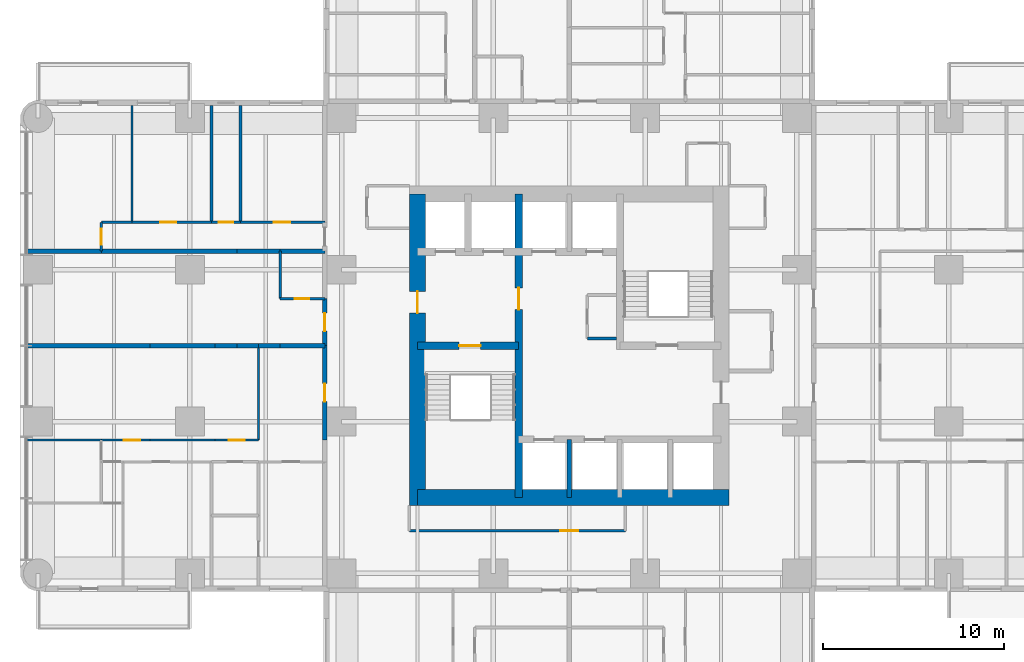
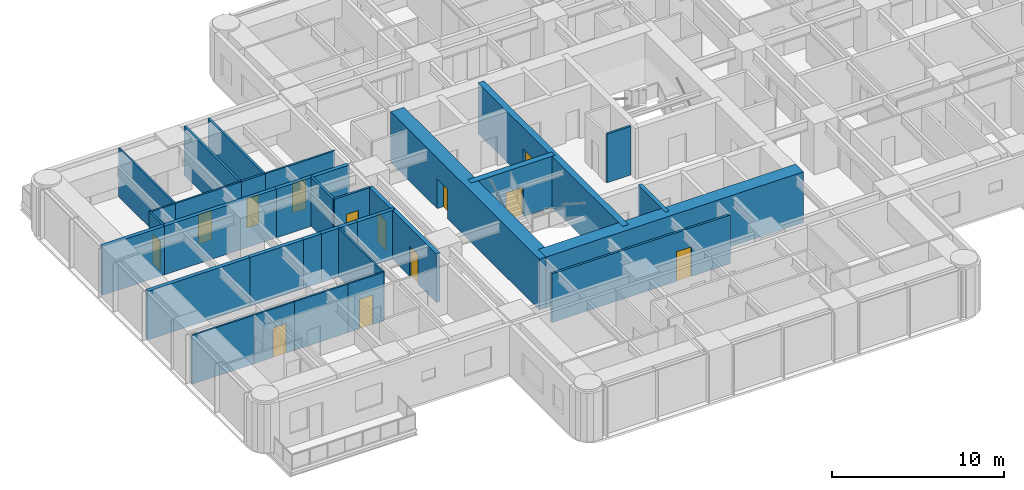
# One storey, part 7 of 14: 34 walls, 13 doors, 13 openings.
"""IFC4 building model written with IfcOpenShell, lengths in metres."""

from ifc_helpers import new_model, si_unit, direction, frame, frame_2d, origin, place, context, subcontext, project, spatial, rectangle, extrude, material, layer, layer_set, type_object, element, fill, save


model = new_model("IFC4")

# Units and contexts
model_context = context("Model", 3, precision=1e-05, world=origin(), true_north=direction((0.0, 1.0)))
body_context = subcontext(model_context, "Body", "Model", "MODEL_VIEW")
ifc_project = project(units=[si_unit("LENGTHUNIT", "METRE"), si_unit("AREAUNIT", "SQUARE_METRE"), si_unit("VOLUMEUNIT", "CUBIC_METRE"), si_unit("PLANEANGLEUNIT", "RADIAN"), si_unit("MASSUNIT", "GRAM", prefix="KILO")], contexts=[model_context])

# Site, building, storey
site_placement = place(None, origin())
site = spatial("IfcSite", under=ifc_project, at=site_placement, CompositionType="ELEMENT")
building_placement = place(site_placement, origin())
building = spatial("IfcBuilding", under=site, at=building_placement, Name="Torre Alcanfor", CompositionType="ELEMENT")
storey_placement = place(building_placement, frame((0.0, 0.0, 126.89990234375)))
storey = spatial("IfcBuildingStorey", under=building, at=storey_placement, Name="L32", CompositionType="ELEMENT", Elevation=126.89990234375)

# Wall, opening, door
ifc_material_1 = material(Name="Concrete block masonry, hollow blocks NMX-C-404 9 MPa", Category="masonry")
ifc_layer_1 = layer(ifc_material_1, 0.25)
ifc_layer_set_1 = layer_set([ifc_layer_1], Name="Apartment entrance wall 250 EI 60")
wall_type_1 = type_object("IfcWallType", Name="Apartment entrance wall 250 EI 60", PredefinedType="PARTITIONING", material=ifc_layer_set_1)
wall_1_placement = place(storey_placement, frame((15.875, 24.1708984375, 0.0), z_axis=(0.0, 0.0, 1.0), x_axis=(0.0, 1.0, 0.0)))
wall_1 = element("IfcWall", 1, at=wall_1_placement, inside=storey, type_object=wall_type_1, Name="Partition L32-CORR / L32-W1-ZAG", PredefinedType="PARTITIONING", context=body_context, shape_type="SweptSolid", body=[
    extrude(rectangle(XDim=5.22900390625, YDim=0.25, at=frame_2d((2.614501953125, 0.0))), origin(), (0.0, 0.0, 1.0), 3.4501953125),
])
opening_1_placement = place(wall_1_placement, frame((2.12890625, 0.0, 0.0)))
opening_1 = element("IfcOpeningElement", 2, at=opening_1_placement, cuts=wall_1, Name="Opening D-A1", PredefinedType="OPENING", context=body_context, shape_type="SweptSolid", body=[
    extrude(rectangle(XDim=1.0, YDim=2.10009765625, at=frame_2d((0.5, 1.050048828125))), frame((0.0, 0.135009765625, 0.0), z_axis=(0.0, -1.0, 0.0), x_axis=(1.0, 0.0, 0.0)), (0.0, 0.0, 1.0), 0.27001953125),
])
ifc_material_2 = material(Name="Galvanised steel sheet ASTM A653", Category="steel")
door_type_1 = type_object("IfcDoorType", Name="Apartment entrance door FD60 1000x2100", OperationType="SINGLE_SWING_LEFT", PredefinedType="DOOR", material=ifc_material_2)
door_1_placement = place(opening_1_placement, origin())
door_1 = element("IfcDoor", 3, at=door_1_placement, inside=storey, type_object=door_type_1, Name="Apartment entrance L32-W1", OperationType="SINGLE_SWING_RIGHT", OverallHeight=2.10009765625, OverallWidth=1.0, PredefinedType="DOOR", context=body_context, shape_type="SweptSolid", body=[
    extrude(rectangle(XDim=1.0, YDim=2.10009765625, at=frame_2d((0.5, 1.050048828125))), frame((0.0, 0.02490234375, 0.0), z_axis=(0.0, -1.0, 0.0), x_axis=(1.0, 0.0, 0.0)), (0.0, 0.0, 1.0), 0.050048828125),
])
fill(opening_1, door_1)

wall_2_placement = place(storey_placement, frame((15.875, 29.39990234375, 0.0), z_axis=(0.0, 0.0, 1.0), x_axis=(0.0, 1.0, 0.0)))
wall_2 = element("IfcWall", 4, at=wall_2_placement, inside=storey, type_object=wall_type_1, Name="Partition L32-CORR / L32-W2A-FOYER", PredefinedType="PARTITIONING", context=body_context, shape_type="SweptSolid", body=[
    extrude(rectangle(XDim=2.60009765625, YDim=0.25, at=frame_2d((1.300048828125, 0.0))), origin(), (0.0, 0.0, 1.0), 3.4501953125),
])
opening_2_placement = place(wall_2_placement, frame((0.800048828125, 0.0, 0.0)))
opening_2 = element("IfcOpeningElement", 5, at=opening_2_placement, cuts=wall_2, Name="Opening D-A1", PredefinedType="OPENING", context=body_context, shape_type="SweptSolid", body=[
    extrude(rectangle(XDim=1.0, YDim=2.10009765625, at=frame_2d((0.5, 1.050048828125))), frame((0.0, 0.135009765625, 0.0), z_axis=(0.0, -1.0, 0.0), x_axis=(1.0, 0.0, 0.0)), (0.0, 0.0, 1.0), 0.27001953125),
])
door_2_placement = place(opening_2_placement, origin())
door_2 = element("IfcDoor", 6, at=door_2_placement, inside=storey, type_object=door_type_1, Name="Apartment entrance L32-W2A", OperationType="SINGLE_SWING_LEFT", OverallHeight=2.10009765625, OverallWidth=1.0, PredefinedType="DOOR", context=body_context, shape_type="SweptSolid", body=[
    extrude(rectangle(XDim=1.0, YDim=2.10009765625, at=frame_2d((0.5, 1.050048828125))), frame((0.0, 0.02490234375, 0.0), z_axis=(0.0, -1.0, 0.0), x_axis=(1.0, 0.0, 0.0)), (0.0, 0.0, 1.0), 0.050048828125),
])
fill(opening_2, door_2)

# Wall
ifc_material_3 = material(Name="Gypsum board on steel studs", Category="steel")
ifc_layer_2 = layer(ifc_material_3, 0.1201171875)
ifc_layer_set_2 = layer_set([ifc_layer_2], Name="Apartment partition 120")
wall_type_2 = type_object("IfcWallType", Name="Apartment partition 120", PredefinedType="PARTITIONING", material=ifc_layer_set_2)
wall_3_placement = place(storey_placement, frame((12.199951171875, 29.39990234375, 0.0), z_axis=(0.0, 0.0, 1.0), x_axis=(0.0, -1.0, 0.0)))
element("IfcWall", 7, at=wall_3_placement, inside=storey, type_object=wall_type_2, Name="Partition L32-W1-ZAG / L32-W1-LAUND", PredefinedType="PARTITIONING", context=body_context, shape_type="SweptSolid", body=[
    extrude(rectangle(XDim=5.22900390625, YDim=0.1201171875, at=frame_2d((2.614501953125, 0.0))), origin(), (0.0, 0.0, 1.0), 3.4501953125),
])

# Wall, opening, door
wall_4_placement = place(storey_placement, frame((9.800048828125, 24.1708984375, 0.0), z_axis=(0.0, 0.0, 1.0), x_axis=(1.0, 0.0, 0.0)))
wall_4 = element("IfcWall", 8, at=wall_4_placement, inside=storey, type_object=wall_type_2, Name="Partition L32-W1-LAUND / L32-W1-HALL", PredefinedType="PARTITIONING", context=body_context, shape_type="SweptSolid", body=[
    extrude(rectangle(XDim=2.39990234375, YDim=0.1201171875, at=frame_2d((1.199951171875, 0.0))), origin(), (0.0, 0.0, 1.0), 3.4501953125),
])
opening_3_placement = place(wall_4_placement, frame((0.75, 0.0, 0.0)))
opening_3 = element("IfcOpeningElement", 9, at=opening_3_placement, cuts=wall_4, Name="Opening D-R1", PredefinedType="OPENING", context=body_context, shape_type="SweptSolid", body=[
    extrude(rectangle(XDim=0.89990234375, YDim=2.10009765625, at=frame_2d((0.449951171875, 1.050048828125))), frame((0.0, 0.070068359375, 0.0), z_axis=(0.0, -1.0, 0.0), x_axis=(1.0, 0.0, 0.0)), (0.0, 0.0, 1.0), 0.14013671875),
])
ifc_material_4 = material(Name="Timber", Category="wood")
door_type_2 = type_object("IfcDoorType", Name="Internal door 900x2100", OperationType="SINGLE_SWING_LEFT", PredefinedType="DOOR", material=ifc_material_4)
door_3_placement = place(opening_3_placement, origin())
door_3 = element("IfcDoor", 10, at=door_3_placement, inside=storey, type_object=door_type_2, Name="Door L32-W1 laund", OperationType="SINGLE_SWING_LEFT", OverallHeight=2.10009765625, OverallWidth=0.89990234375, PredefinedType="DOOR", context=body_context, shape_type="SweptSolid", body=[
    extrude(rectangle(XDim=0.89990234375, YDim=2.10009765625, at=frame_2d((0.449951171875, 1.050048828125))), frame((0.0, 0.02490234375, 0.0), z_axis=(0.0, -1.0, 0.0), x_axis=(1.0, 0.0, 0.0)), (0.0, 0.0, 1.0), 0.050048828125),
])
fill(opening_3, door_3)

# Wall
wall_5_placement = place(storey_placement, frame((6.199951171875, 24.1708984375, 0.0), z_axis=(0.0, 0.0, 1.0), x_axis=(1.0, 0.0, 0.0)))
element("IfcWall", 11, at=wall_5_placement, inside=storey, type_object=wall_type_2, Name="Partition L32-W1-KITCHEN / L32-W1-HALL", PredefinedType="PARTITIONING", context=body_context, shape_type="SweptSolid", body=[
    extrude(rectangle(XDim=3.60009765625, YDim=0.1201171875, at=frame_2d((1.800048828125, 0.0))), origin(), (0.0, 0.0, 1.0), 3.4501953125),
])

# Wall, opening, door
wall_6_placement = place(storey_placement, frame((3.5, 24.1708984375, 0.0), z_axis=(0.0, 0.0, 1.0), x_axis=(1.0, 0.0, 0.0)))
wall_6 = element("IfcWall", 12, at=wall_6_placement, inside=storey, type_object=wall_type_2, Name="Partition L32-W1-LIVING / L32-W1-HALL", PredefinedType="PARTITIONING", context=body_context, shape_type="SweptSolid", body=[
    extrude(rectangle(XDim=2.699951171875, YDim=0.1201171875, at=frame_2d((1.35009765625, 0.0))), origin(), (0.0, 0.0, 1.0), 3.4501953125),
])
opening_4_placement = place(wall_6_placement, frame((1.25, 0.0, 0.0)))
opening_4 = element("IfcOpeningElement", 13, at=opening_4_placement, cuts=wall_6, Name="Opening D-R1", PredefinedType="OPENING", context=body_context, shape_type="SweptSolid", body=[
    extrude(rectangle(XDim=0.89990234375, YDim=2.10009765625, at=frame_2d((0.449951171875, 1.050048828125))), frame((0.0, 0.070068359375, 0.0), z_axis=(0.0, -1.0, 0.0), x_axis=(1.0, 0.0, 0.0)), (0.0, 0.0, 1.0), 0.14013671875),
])
door_4_placement = place(opening_4_placement, origin())
door_4 = element("IfcDoor", 14, at=door_4_placement, inside=storey, type_object=door_type_2, Name="Door L32-W1 living", OperationType="SINGLE_SWING_RIGHT", OverallHeight=2.10009765625, OverallWidth=0.89990234375, PredefinedType="DOOR", context=body_context, shape_type="SweptSolid", body=[
    extrude(rectangle(XDim=0.89990234375, YDim=2.10009765625, at=frame_2d((0.449951171875, 1.050048828125))), frame((0.0, 0.02490234375, 0.0), z_axis=(0.0, -1.0, 0.0), x_axis=(1.0, 0.0, 0.0)), (0.0, 0.0, 1.0), 0.050048828125),
])
fill(opening_4, door_4)

# Wall
wall_7_placement = place(storey_placement, frame((-0.64990234375, 24.1708984375, 0.0), z_axis=(0.0, 0.0, 1.0), x_axis=(1.0, 0.0, 0.0)))
element("IfcWall", 15, at=wall_7_placement, inside=storey, type_object=wall_type_2, Name="Partition L32-W1-LIVING / L32-W1-BED2", PredefinedType="PARTITIONING", context=body_context, shape_type="SweptSolid", body=[
    extrude(rectangle(XDim=4.14990234375, YDim=0.1201171875, at=frame_2d((2.074951171875, 0.0))), origin(), (0.0, 0.0, 1.0), 3.4501953125),
])

# Wall, opening, door
wall_8_placement = place(storey_placement, frame((11.199951171875, 36.22900390625, 0.0), z_axis=(0.0, 0.0, 1.0), x_axis=(1.0, 0.0, 0.0)))
wall_8 = element("IfcWall", 16, at=wall_8_placement, inside=storey, type_object=wall_type_2, Name="Partition L32-W2B-HALL / L32-W2B-MASTER", PredefinedType="PARTITIONING", context=body_context, shape_type="SweptSolid", body=[
    extrude(rectangle(XDim=4.675048828125, YDim=0.1201171875, at=frame_2d((2.33740234375, 0.0))), origin(), (0.0, 0.0, 1.0), 3.4501953125),
])
opening_5_placement = place(wall_8_placement, frame((1.85009765625, 0.0, 0.0)))
opening_5 = element("IfcOpeningElement", 17, at=opening_5_placement, cuts=wall_8, Name="Opening D-R1", PredefinedType="OPENING", context=body_context, shape_type="SweptSolid", body=[
    extrude(rectangle(XDim=0.89990234375, YDim=2.10009765625, at=frame_2d((0.449951171875, 1.050048828125))), frame((0.0, 0.070068359375, 0.0), z_axis=(0.0, -1.0, 0.0), x_axis=(1.0, 0.0, 0.0)), (0.0, 0.0, 1.0), 0.14013671875),
])
door_5_placement = place(opening_5_placement, origin())
door_5 = element("IfcDoor", 18, at=door_5_placement, inside=storey, type_object=door_type_2, Name="Door L32-W2B master", OperationType="SINGLE_SWING_LEFT", OverallHeight=2.10009765625, OverallWidth=0.89990234375, PredefinedType="DOOR", context=body_context, shape_type="SweptSolid", body=[
    extrude(rectangle(XDim=0.89990234375, YDim=2.10009765625, at=frame_2d((0.449951171875, 1.050048828125))), frame((0.0, 0.02490234375, 0.0), z_axis=(0.0, -1.0, 0.0), x_axis=(1.0, 0.0, 0.0)), (0.0, 0.0, 1.0), 0.050048828125),
])
fill(opening_5, door_5)

wall_9_placement = place(storey_placement, frame((5.199951171875, 36.22900390625, 0.0), z_axis=(0.0, 0.0, 1.0), x_axis=(1.0, 0.0, 0.0)))
wall_9 = element("IfcWall", 19, at=wall_9_placement, inside=storey, type_object=wall_type_2, Name="Partition L32-W2B-HALL / L32-W2B-STUDY", PredefinedType="PARTITIONING", context=body_context, shape_type="SweptSolid", body=[
    extrude(rectangle(XDim=4.400146484375, YDim=0.1201171875, at=frame_2d((2.2001953125, 0.0))), origin(), (0.0, 0.0, 1.0), 3.4501953125),
])
opening_6_placement = place(wall_9_placement, frame((1.550048828125, 0.0, 0.0)))
opening_6 = element("IfcOpeningElement", 20, at=opening_6_placement, cuts=wall_9, Name="Opening D-R1", PredefinedType="OPENING", context=body_context, shape_type="SweptSolid", body=[
    extrude(rectangle(XDim=0.89990234375, YDim=2.10009765625, at=frame_2d((0.449951171875, 1.050048828125))), frame((0.0, 0.070068359375, 0.0), z_axis=(0.0, -1.0, 0.0), x_axis=(1.0, 0.0, 0.0)), (0.0, 0.0, 1.0), 0.14013671875),
])
door_6_placement = place(opening_6_placement, origin())
door_6 = element("IfcDoor", 21, at=door_6_placement, inside=storey, type_object=door_type_2, Name="Door L32-W2B study", OperationType="SINGLE_SWING_LEFT", OverallHeight=2.10009765625, OverallWidth=0.89990234375, PredefinedType="DOOR", context=body_context, shape_type="SweptSolid", body=[
    extrude(rectangle(XDim=0.89990234375, YDim=2.10009765625, at=frame_2d((0.449951171875, 1.050048828125))), frame((0.0, 0.02490234375, 0.0), z_axis=(0.0, -1.0, 0.0), x_axis=(1.0, 0.0, 0.0)), (0.0, 0.0, 1.0), 0.050048828125),
])
fill(opening_6, door_6)

# Wall
wall_10_placement = place(storey_placement, frame((3.5, 36.22900390625, 0.0), z_axis=(0.0, 0.0, 1.0), x_axis=(1.0, 0.0, 0.0)))
element("IfcWall", 22, at=wall_10_placement, inside=storey, type_object=wall_type_2, Name="Partition L32-W2B-HALL / L32-W2B-KITCHEN", PredefinedType="PARTITIONING", context=body_context, shape_type="SweptSolid", body=[
    extrude(rectangle(XDim=1.699951171875, YDim=0.1201171875, at=frame_2d((0.85009765625, 0.0))), origin(), (0.0, 0.0, 1.0), 3.4501953125),
])

# Wall, opening, door
wall_11_placement = place(storey_placement, frame((3.5, 34.62890625, 0.0), z_axis=(0.0, 0.0, 1.0), x_axis=(0.0, 1.0, 0.0)))
wall_11 = element("IfcWall", 23, at=wall_11_placement, inside=storey, type_object=wall_type_2, Name="Partition L32-W2B-HALL / L32-W2B-LIVING", PredefinedType="PARTITIONING", context=body_context, shape_type="SweptSolid", body=[
    extrude(rectangle(XDim=1.60009765625, YDim=0.1201171875, at=frame_2d((0.800048828125, 0.0))), origin(), (0.0, 0.0, 1.0), 3.4501953125),
])
opening_7_placement = place(wall_11_placement, frame((0.35009765625, 0.0, 0.0)))
opening_7 = element("IfcOpeningElement", 24, at=opening_7_placement, cuts=wall_11, Name="Opening D-R1", PredefinedType="OPENING", context=body_context, shape_type="SweptSolid", body=[
    extrude(rectangle(XDim=0.89990234375, YDim=2.10009765625, at=frame_2d((0.449951171875, 1.050048828125))), frame((0.0, 0.070068359375, 0.0), z_axis=(0.0, -1.0, 0.0), x_axis=(1.0, 0.0, 0.0)), (0.0, 0.0, 1.0), 0.14013671875),
])
door_7_placement = place(opening_7_placement, origin())
door_7 = element("IfcDoor", 25, at=door_7_placement, inside=storey, type_object=door_type_2, Name="Door L32-W2B living", OperationType="SINGLE_SWING_LEFT", OverallHeight=2.10009765625, OverallWidth=0.89990234375, PredefinedType="DOOR", context=body_context, shape_type="SweptSolid", body=[
    extrude(rectangle(XDim=0.89990234375, YDim=2.10009765625, at=frame_2d((0.449951171875, 1.050048828125))), frame((0.0, 0.02490234375, 0.0), z_axis=(0.0, -1.0, 0.0), x_axis=(1.0, 0.0, 0.0)), (0.0, 0.0, 1.0), 0.050048828125),
])
fill(opening_7, door_7)

# Wall
wall_12_placement = place(storey_placement, frame((5.199951171875, 36.22900390625, 0.0), z_axis=(0.0, 0.0, 1.0), x_axis=(0.0, 1.0, 0.0)))
element("IfcWall", 26, at=wall_12_placement, inside=storey, type_object=wall_type_2, Name="Partition L32-W2B-STUDY / L32-W2B-KITCHEN", PredefinedType="PARTITIONING", context=body_context, shape_type="SweptSolid", body=[
    extrude(rectangle(XDim=6.470947265625, YDim=0.1201171875, at=frame_2d((3.2353515625, 0.0))), origin(), (0.0, 0.0, 1.0), 3.4501953125),
])

# Wall, opening, door
ifc_material_5 = material(Name="Concrete f'c 70 MPa", Category="concrete")
ifc_layer_3 = layer(ifc_material_5, 0.39990234375)
ifc_layer_set_3 = layer_set([ifc_layer_3], Name="Core inner wall 400 f'c70")
wall_type_3 = type_object("IfcWallType", Name="Core inner wall 400 f'c70", PredefinedType="SHEAR", material=ifc_layer_set_3)
wall_13_placement = place(storey_placement, frame((26.60009765625, 21.0, 0.0), z_axis=(0.0, 0.0, 1.0), x_axis=(0.0, 1.0, 0.0)))
wall_13 = element("IfcWall", 27, at=wall_13_placement, inside=storey, type_object=wall_type_3, Name="Core wall X266 L32", PredefinedType="SHEAR", context=body_context, shape_type="SweptSolid", body=[
    extrude(rectangle(XDim=16.800048828125, YDim=0.39990234375, at=frame_2d((8.39990234375, 0.0))), origin(), (0.0, 0.0, 1.0), 3.60009765625),
])
opening_8_placement = place(wall_13_placement, frame((10.39990234375, 0.0, 0.0)))
opening_8 = element("IfcOpeningElement", 28, at=opening_8_placement, cuts=wall_13, Name="Opening D-L1", PredefinedType="OPENING", context=body_context, shape_type="SweptSolid", body=[
    extrude(rectangle(XDim=1.199951171875, YDim=2.10009765625, at=frame_2d((0.60009765625, 1.050048828125))), frame((0.0, 0.2099609375, 0.0), z_axis=(0.0, -1.0, 0.0), x_axis=(1.0, 0.0, 0.0)), (0.0, 0.0, 1.0), 0.419921875),
])
ifc_material_6 = material(Name="Galvanised steel sheet ASTM A653", Category="steel")
door_type_3 = type_object("IfcDoorType", Name="Lobby door FD120 1200x2100", OperationType="SINGLE_SWING_LEFT", PredefinedType="DOOR", material=ifc_material_6)
door_8_placement = place(opening_8_placement, origin())
door_8 = element("IfcDoor", 29, at=door_8_placement, inside=storey, type_object=door_type_3, Name="Lift lobby door L32", OperationType="SINGLE_SWING_LEFT", OverallHeight=2.10009765625, OverallWidth=1.199951171875, PredefinedType="DOOR", context=body_context, shape_type="SweptSolid", body=[
    extrude(rectangle(XDim=1.199951171875, YDim=2.10009765625, at=frame_2d((0.60009765625, 1.050048828125))), frame((0.0, 0.02490234375, 0.0), z_axis=(0.0, -1.0, 0.0), x_axis=(1.0, 0.0, 0.0)), (0.0, 0.0, 1.0), 0.050048828125),
])
fill(opening_8, door_8)

wall_14_placement = place(storey_placement, frame((21.0, 29.39990234375, 0.0), z_axis=(0.0, 0.0, 1.0), x_axis=(1.0, 0.0, 0.0)))
wall_14 = element("IfcWall", 30, at=wall_14_placement, inside=storey, type_object=wall_type_3, Name="Core wall Y294W L32", PredefinedType="SHEAR", context=body_context, shape_type="SweptSolid", body=[
    extrude(rectangle(XDim=5.60009765625, YDim=0.39990234375, at=frame_2d((2.800048828125, 0.0))), origin(), (0.0, 0.0, 1.0), 3.60009765625),
])
opening_9_placement = place(wall_14_placement, frame((2.300048828125, 0.0, 0.0)))
opening_9 = element("IfcOpeningElement", 31, at=opening_9_placement, cuts=wall_14, Name="Opening D-S2", PredefinedType="OPENING", context=body_context, shape_type="SweptSolid", body=[
    extrude(rectangle(XDim=1.199951171875, YDim=2.10009765625, at=frame_2d((0.60009765625, 1.050048828125))), frame((0.0, 0.2099609375, 0.0), z_axis=(0.0, -1.0, 0.0), x_axis=(1.0, 0.0, 0.0)), (0.0, 0.0, 1.0), 0.419921875),
])
ifc_material_7 = material(Name="Galvanised steel sheet ASTM A653", Category="steel")
door_type_4 = type_object("IfcDoorType", Name="Stair enclosure door FD120 1200x2100", OperationType="SINGLE_SWING_LEFT", PredefinedType="DOOR", material=ifc_material_7)
door_9_placement = place(opening_9_placement, frame((1.199951171875, 0.0, 0.0), z_axis=(0.0, 0.0, 1.0), x_axis=(-1.0, 0.0, 0.0)))
door_9 = element("IfcDoor", 32, at=door_9_placement, inside=storey, type_object=door_type_4, Name="Stair S1 door L32", OperationType="SINGLE_SWING_LEFT", OverallHeight=2.10009765625, OverallWidth=1.199951171875, PredefinedType="DOOR", context=body_context, shape_type="SweptSolid", body=[
    extrude(rectangle(XDim=1.199951171875, YDim=2.10009765625, at=frame_2d((0.599853515625, 1.050048828125))), frame((0.0, 0.025146484375, 0.0), z_axis=(0.0, -1.0, 0.0), x_axis=(1.0, 0.0, 0.0)), (0.0, 0.0, 1.0), 0.050048828125),
])
fill(opening_9, door_9)

# Walls
ifc_material_8 = material(Name="Concrete f'c 70 MPa", Category="concrete")
ifc_layer_4 = layer(ifc_material_8, 0.25)
ifc_layer_set_4 = layer_set([ifc_layer_4], Name="Core shaft wall 250 f'c70")
wall_type_4 = type_object("IfcWallType", Name="Core shaft wall 250 f'c70", PredefinedType="SHEAR", material=ifc_layer_set_4)
wall_15_placement = place(storey_placement, frame((29.39990234375, 21.0, 0.0), z_axis=(0.0, 0.0, 1.0), x_axis=(0.0, 1.0, 0.0)))
element("IfcWall", 33, at=wall_15_placement, inside=storey, type_object=wall_type_4, Name="Core wall X294S L32", PredefinedType="SHEAR", context=body_context, shape_type="SweptSolid", body=[
    extrude(rectangle(XDim=3.199951171875, YDim=0.25, at=frame_2d((1.60009765625, 0.0))), origin(), (0.0, 0.0, 1.0), 3.60009765625),
])
ifc_material_9 = material(Name="Concrete f'c 70 MPa", Category="concrete")
ifc_layer_5 = layer(ifc_material_9, 0.89990234375)
ifc_layer_set_5 = layer_set([ifc_layer_5], Name="Core wall 900 f'c70")
wall_type_5 = type_object("IfcWallType", Name="Core wall 900 f'c70", PredefinedType="SHEAR", material=ifc_layer_set_5)
wall_16_placement = place(storey_placement, frame((21.0, 21.0, 0.0), z_axis=(0.0, 0.0, 1.0), x_axis=(1.0, 0.0, 0.0)))
element("IfcWall", 34, at=wall_16_placement, inside=storey, type_object=wall_type_5, Name="Core wall OUT-S L32", PredefinedType="SHEAR", context=body_context, shape_type="SweptSolid", body=[
    extrude(rectangle(XDim=17.25, YDim=0.89990234375, at=frame_2d((8.625, 0.0))), origin(), (0.0, 0.0, 1.0), 3.60009765625),
])

# Wall, opening, door
wall_17_placement = place(storey_placement, frame((21.0, 37.800048828125, 0.0), z_axis=(0.0, 0.0, 1.0), x_axis=(0.0, -1.0, 0.0)))
wall_17 = element("IfcWall", 35, at=wall_17_placement, inside=storey, type_object=wall_type_5, Name="Core wall OUT-W L32", PredefinedType="SHEAR", context=body_context, shape_type="SweptSolid", body=[
    extrude(rectangle(XDim=17.25, YDim=0.89990234375, at=frame_2d((8.625, 0.0))), origin(), (0.0, 0.0, 1.0), 3.60009765625),
])
opening_10_placement = place(wall_17_placement, frame((5.39990234375, 0.0, 0.0)))
opening_10 = element("IfcOpeningElement", 36, at=opening_10_placement, cuts=wall_17, Name="Opening D-L1", PredefinedType="OPENING", context=body_context, shape_type="SweptSolid", body=[
    extrude(rectangle(XDim=1.199951171875, YDim=2.10009765625, at=frame_2d((0.60009765625, 1.050048828125))), frame((0.0, 0.4599609375, 0.0), z_axis=(0.0, -1.0, 0.0), x_axis=(1.0, 0.0, 0.0)), (0.0, 0.0, 1.0), 0.919921875),
])
door_10_placement = place(opening_10_placement, origin())
door_10 = element("IfcDoor", 37, at=door_10_placement, inside=storey, type_object=door_type_3, Name="Firefighting lobby door L32", OperationType="SINGLE_SWING_LEFT", OverallHeight=2.10009765625, OverallWidth=1.199951171875, PredefinedType="DOOR", context=body_context, shape_type="SweptSolid", body=[
    extrude(rectangle(XDim=1.199951171875, YDim=2.10009765625, at=frame_2d((0.60009765625, 1.050048828125))), frame((0.0, 0.02490234375, 0.0), z_axis=(0.0, -1.0, 0.0), x_axis=(1.0, 0.0, 0.0)), (0.0, 0.0, 1.0), 0.050048828125),
])
fill(opening_10, door_10)

# Walls
ifc_material_10 = material(Name="Concrete block masonry, hollow blocks NMX-C-404 9 MPa", Category="masonry")
ifc_layer_6 = layer(ifc_material_10, 0.25)
ifc_layer_set_6 = layer_set([ifc_layer_6], Name="Party wall 250 EI 60")
wall_type_6 = type_object("IfcWallType", Name="Party wall 250 EI 60", PredefinedType="PARTITIONING", material=ifc_layer_set_6)
wall_18_placement = place(storey_placement, frame((15.875, 29.39990234375, 0.0), z_axis=(0.0, 0.0, 1.0), x_axis=(-1.0, 0.0, 0.0)))
element("IfcWall", 38, at=wall_18_placement, inside=storey, type_object=wall_type_6, Name="Partition L32-W1-ZAG / L32-W2A-FOYER", PredefinedType="PARTITIONING", context=body_context, shape_type="SweptSolid", body=[
    extrude(rectangle(XDim=2.47509765625, YDim=0.25, at=frame_2d((1.237548828125, 0.0))), origin(), (0.0, 0.0, 1.0), 3.4501953125),
])
for number, where, z_axis, x_axis, name in (
    (39, (13.39990234375, 29.39990234375, 0.0), (0.0, 0.0, 1.0), (-1.0, 0.0, 0.0), "Partition L32-W1-ZAG / L32-W2A-KITCHEN"),
    (40, (12.199951171875, 29.39990234375, 0.0), (0.0, 0.0, 1.0), (-1.0, 0.0, 0.0), "Partition L32-W1-LAUND / L32-W2A-KITCHEN"),
    (41, (11.0, 29.39990234375, 0.0), (0.0, 0.0, 1.0), (-1.0, 0.0, 0.0), "Partition L32-W1-LAUND / L32-W2A-STUDIO"),
):
    element("IfcWall", number, at=place(storey_placement, frame(where, z_axis=z_axis, x_axis=x_axis)), inside=storey, type_object=wall_type_6, Name=name, PredefinedType="PARTITIONING", context=body_context, shape_type="SweptSolid", body=[
        extrude(rectangle(XDim=1.199951171875, YDim=0.25, at=frame_2d((0.60009765625, 0.0))), origin(), (0.0, 0.0, 1.0), 3.4501953125),
    ])
wall_19_placement = place(storey_placement, frame((9.800048828125, 29.39990234375, 0.0), z_axis=(0.0, 0.0, 1.0), x_axis=(-1.0, 0.0, 0.0)))
element("IfcWall", 42, at=wall_19_placement, inside=storey, type_object=wall_type_6, Name="Partition L32-W1-KITCHEN / L32-W2A-STUDIO", PredefinedType="PARTITIONING", context=body_context, shape_type="SweptSolid", body=[
    extrude(rectangle(XDim=3.60009765625, YDim=0.25, at=frame_2d((1.800048828125, 0.0))), origin(), (0.0, 0.0, 1.0), 3.4501953125),
])
wall_20_placement = place(storey_placement, frame((6.199951171875, 29.39990234375, 0.0), z_axis=(0.0, 0.0, 1.0), x_axis=(-1.0, 0.0, 0.0)))
element("IfcWall", 43, at=wall_20_placement, inside=storey, type_object=wall_type_6, Name="Partition L32-W1-LIVING / L32-W2A-STUDIO", PredefinedType="PARTITIONING", context=body_context, shape_type="SweptSolid", body=[
    extrude(rectangle(XDim=6.849853515625, YDim=0.25, at=frame_2d((3.4248046875, 0.0))), origin(), (0.0, 0.0, 1.0), 3.4501953125),
])
wall_21_placement = place(storey_placement, frame((13.39990234375, 34.62890625, 0.0), z_axis=(0.0, 0.0, 1.0), x_axis=(1.0, 0.0, 0.0)))
element("IfcWall", 44, at=wall_21_placement, inside=storey, type_object=wall_type_6, Name="Partition L32-W2A-BATH / L32-W2B-HALL", PredefinedType="PARTITIONING", context=body_context, shape_type="SweptSolid", body=[
    extrude(rectangle(XDim=2.47509765625, YDim=0.25, at=frame_2d((1.237548828125, 0.0))), origin(), (0.0, 0.0, 1.0), 3.4501953125),
])
wall_22_placement = place(storey_placement, frame((11.0, 34.62890625, 0.0), z_axis=(0.0, 0.0, 1.0), x_axis=(1.0, 0.0, 0.0)))
element("IfcWall", 45, at=wall_22_placement, inside=storey, type_object=wall_type_6, Name="Partition L32-W2A-KITCHEN / L32-W2B-HALL", PredefinedType="PARTITIONING", context=body_context, shape_type="SweptSolid", body=[
    extrude(rectangle(XDim=2.39990234375, YDim=0.25, at=frame_2d((1.199951171875, 0.0))), origin(), (0.0, 0.0, 1.0), 3.4501953125),
])
wall_23_placement = place(storey_placement, frame((3.5, 34.62890625, 0.0), z_axis=(0.0, 0.0, 1.0), x_axis=(1.0, 0.0, 0.0)))
element("IfcWall", 46, at=wall_23_placement, inside=storey, type_object=wall_type_6, Name="Partition L32-W2A-STUDIO / L32-W2B-HALL", PredefinedType="PARTITIONING", context=body_context, shape_type="SweptSolid", body=[
    extrude(rectangle(XDim=7.5, YDim=0.25, at=frame_2d((3.75, 0.0))), origin(), (0.0, 0.0, 1.0), 3.4501953125),
])
wall_24_placement = place(storey_placement, frame((-0.64990234375, 34.62890625, 0.0), z_axis=(0.0, 0.0, 1.0), x_axis=(1.0, 0.0, 0.0)))
element("IfcWall", 47, at=wall_24_placement, inside=storey, type_object=wall_type_6, Name="Partition L32-W2A-STUDIO / L32-W2B-LIVING", PredefinedType="PARTITIONING", context=body_context, shape_type="SweptSolid", body=[
    extrude(rectangle(XDim=4.14990234375, YDim=0.25, at=frame_2d((2.074951171875, 0.0))), origin(), (0.0, 0.0, 1.0), 3.4501953125),
])

# Wall, opening, door
ifc_material_11 = material(Name="Concrete block masonry, hollow blocks NMX-C-404 9 MPa", Category="masonry")
ifc_layer_7 = layer(ifc_material_11, 0.14990234375)
ifc_layer_set_7 = layer_set([ifc_layer_7], Name="Residents' room partition 150")
wall_type_7 = type_object("IfcWallType", Name="Residents' room partition 150", PredefinedType="PARTITIONING", material=ifc_layer_set_7)
wall_25_placement = place(storey_placement, frame((20.550048828125, 19.14990234375, 0.0), z_axis=(0.0, 0.0, 1.0), x_axis=(1.0, 0.0, 0.0)))
wall_25 = element("IfcWall", 48, at=wall_25_placement, inside=storey, type_object=wall_type_7, Name="Partition L32-CORR / L32-G04", PredefinedType="PARTITIONING", context=body_context, shape_type="SweptSolid", body=[
    extrude(rectangle(XDim=11.949951171875, YDim=0.14990234375, at=frame_2d((5.97509765625, 0.0))), origin(), (0.0, 0.0, 1.0), 3.4501953125),
])
opening_11_placement = place(wall_25_placement, frame((8.35009765625, 0.0, 0.0)))
opening_11 = element("IfcOpeningElement", 49, at=opening_11_placement, cuts=wall_25, Name="Opening D-M1", PredefinedType="OPENING", context=body_context, shape_type="SweptSolid", body=[
    extrude(rectangle(XDim=1.0, YDim=2.10009765625, at=frame_2d((0.5, 1.050048828125))), frame((0.0, 0.0849609375, 0.0), z_axis=(0.0, -1.0, 0.0), x_axis=(1.0, 0.0, 0.0)), (0.0, 0.0, 1.0), 0.169921875),
])
ifc_material_12 = material(Name="Timber", Category="wood")
door_type_5 = type_object("IfcDoorType", Name="Residents' room door 1000x2100", OperationType="SINGLE_SWING_LEFT", PredefinedType="DOOR", material=ifc_material_12)
door_11_placement = place(opening_11_placement, origin())
door_11 = element("IfcDoor", 50, at=door_11_placement, inside=storey, type_object=door_type_5, Name="Door L32-G04 residents' study room", OperationType="SINGLE_SWING_RIGHT", OverallHeight=2.10009765625, OverallWidth=1.0, PredefinedType="DOOR", context=body_context, shape_type="SweptSolid", body=[
    extrude(rectangle(XDim=1.0, YDim=2.10009765625, at=frame_2d((0.5, 1.050048828125))), frame((0.0, 0.02490234375, 0.0), z_axis=(0.0, -1.0, 0.0), x_axis=(1.0, 0.0, 0.0)), (0.0, 0.0, 1.0), 0.050048828125),
])
fill(opening_11, door_11)

# Wall
wall_26_placement = place(storey_placement, frame((32.0, 29.800048828125, 0.0), z_axis=(0.0, 0.0, 1.0), x_axis=(-1.0, 0.0, 0.0)))
element("IfcWall", 51, at=wall_26_placement, inside=storey, type_object=wall_type_7, Name="Partition L32-LL / L32-CR1", PredefinedType="PARTITIONING", context=body_context, shape_type="SweptSolid", body=[
    extrude(rectangle(XDim=1.60009765625, YDim=0.14990234375, at=frame_2d((0.800048828125, 0.0))), origin(), (0.0, 0.0, 1.0), 3.4501953125),
])

# Wall, opening, door
ifc_material_13 = material(Name="Cement board on steel studs", Category="steel")
ifc_layer_8 = layer(ifc_material_13, 0.14990234375)
ifc_layer_set_8 = layer_set([ifc_layer_8], Name="Wet area partition 150")
wall_type_8 = type_object("IfcWallType", Name="Wet area partition 150", PredefinedType="PARTITIONING", material=ifc_layer_set_8)
wall_27_placement = place(storey_placement, frame((13.39990234375, 32.0, 0.0), z_axis=(0.0, 0.0, 1.0), x_axis=(1.0, 0.0, 0.0)))
wall_27 = element("IfcWall", 52, at=wall_27_placement, inside=storey, type_object=wall_type_8, Name="Partition L32-W2A-FOYER / L32-W2A-BATH", PredefinedType="PARTITIONING", context=body_context, shape_type="SweptSolid", body=[
    extrude(rectangle(XDim=2.47509765625, YDim=0.14990234375, at=frame_2d((1.237548828125, 0.0))), origin(), (0.0, 0.0, 1.0), 3.4501953125),
])
opening_12_placement = place(wall_27_placement, frame((0.800048828125, 0.0, 0.0)))
opening_12 = element("IfcOpeningElement", 53, at=opening_12_placement, cuts=wall_27, Name="Opening D-R2", PredefinedType="OPENING", context=body_context, shape_type="SweptSolid", body=[
    extrude(rectangle(XDim=0.800048828125, YDim=2.10009765625, at=frame_2d((0.39990234375, 1.050048828125))), frame((0.0, 0.0849609375, 0.0), z_axis=(0.0, -1.0, 0.0), x_axis=(1.0, 0.0, 0.0)), (0.0, 0.0, 1.0), 0.169921875),
])
ifc_material_14 = material(Name="Timber", Category="wood")
door_type_6 = type_object("IfcDoorType", Name="Bathroom door 800x2100", OperationType="SINGLE_SWING_LEFT", PredefinedType="DOOR", material=ifc_material_14)
door_12_placement = place(opening_12_placement, origin())
door_12 = element("IfcDoor", 54, at=door_12_placement, inside=storey, type_object=door_type_6, Name="Door L32-W2A bath", OperationType="SINGLE_SWING_LEFT", OverallHeight=2.10009765625, OverallWidth=0.800048828125, PredefinedType="DOOR", context=body_context, shape_type="SweptSolid", body=[
    extrude(rectangle(XDim=0.800048828125, YDim=2.10009765625, at=frame_2d((0.39990234375, 1.050048828125))), frame((0.0, 0.02490234375, 0.0), z_axis=(0.0, -1.0, 0.0), x_axis=(1.0, 0.0, 0.0)), (0.0, 0.0, 1.0), 0.050048828125),
])
fill(opening_12, door_12)

# Wall
wall_28_placement = place(storey_placement, frame((13.39990234375, 32.0, 0.0), z_axis=(0.0, 0.0, 1.0), x_axis=(0.0, 1.0, 0.0)))
element("IfcWall", 55, at=wall_28_placement, inside=storey, type_object=wall_type_8, Name="Partition L32-W2A-BATH / L32-W2A-KITCHEN", PredefinedType="PARTITIONING", context=body_context, shape_type="SweptSolid", body=[
    extrude(rectangle(XDim=2.62890625, YDim=0.14990234375, at=frame_2d((1.314453125, 0.0))), origin(), (0.0, 0.0, 1.0), 3.4501953125),
])

# Wall, opening, door
wall_29_placement = place(storey_placement, frame((9.60009765625, 36.22900390625, 0.0), z_axis=(0.0, 0.0, 1.0), x_axis=(1.0, 0.0, 0.0)))
wall_29 = element("IfcWall", 56, at=wall_29_placement, inside=storey, type_object=wall_type_8, Name="Partition L32-W2B-HALL / L32-W2B-BATH", PredefinedType="PARTITIONING", context=body_context, shape_type="SweptSolid", body=[
    extrude(rectangle(XDim=1.599853515625, YDim=0.14990234375, at=frame_2d((0.7998046875, 0.0))), origin(), (0.0, 0.0, 1.0), 3.4501953125),
])
opening_13_placement = place(wall_29_placement, frame((0.39990234375, 0.0, 0.0)))
opening_13 = element("IfcOpeningElement", 57, at=opening_13_placement, cuts=wall_29, Name="Opening D-R2", PredefinedType="OPENING", context=body_context, shape_type="SweptSolid", body=[
    extrude(rectangle(XDim=0.800048828125, YDim=2.10009765625, at=frame_2d((0.39990234375, 1.050048828125))), frame((0.0, 0.0849609375, 0.0), z_axis=(0.0, -1.0, 0.0), x_axis=(1.0, 0.0, 0.0)), (0.0, 0.0, 1.0), 0.169921875),
])
door_13_placement = place(opening_13_placement, origin())
door_13 = element("IfcDoor", 58, at=door_13_placement, inside=storey, type_object=door_type_6, Name="Door L32-W2B bath", OperationType="SINGLE_SWING_LEFT", OverallHeight=2.10009765625, OverallWidth=0.800048828125, PredefinedType="DOOR", context=body_context, shape_type="SweptSolid", body=[
    extrude(rectangle(XDim=0.800048828125, YDim=2.10009765625, at=frame_2d((0.39990234375, 1.050048828125))), frame((0.0, 0.02490234375, 0.0), z_axis=(0.0, -1.0, 0.0), x_axis=(1.0, 0.0, 0.0)), (0.0, 0.0, 1.0), 0.050048828125),
])
fill(opening_13, door_13)

# Walls
for number, where, z_axis, x_axis, name in (
    (59, (11.199951171875, 36.22900390625, 0.0), (0.0, 0.0, 1.0), (0.0, 1.0, 0.0), "Partition L32-W2B-MASTER / L32-W2B-BATH"),
    (60, (9.60009765625, 36.22900390625, 0.0), (0.0, 0.0, 1.0), (0.0, 1.0, 0.0), "Partition L32-W2B-BATH / L32-W2B-STUDY"),
):
    element("IfcWall", number, at=place(storey_placement, frame(where, z_axis=z_axis, x_axis=x_axis)), inside=storey, type_object=wall_type_8, Name=name, PredefinedType="PARTITIONING", context=body_context, shape_type="SweptSolid", body=[
        extrude(rectangle(XDim=6.470947265625, YDim=0.14990234375, at=frame_2d((3.2353515625, 0.0))), origin(), (0.0, 0.0, 1.0), 3.4501953125),
    ])

save(model, "model.ifc")
